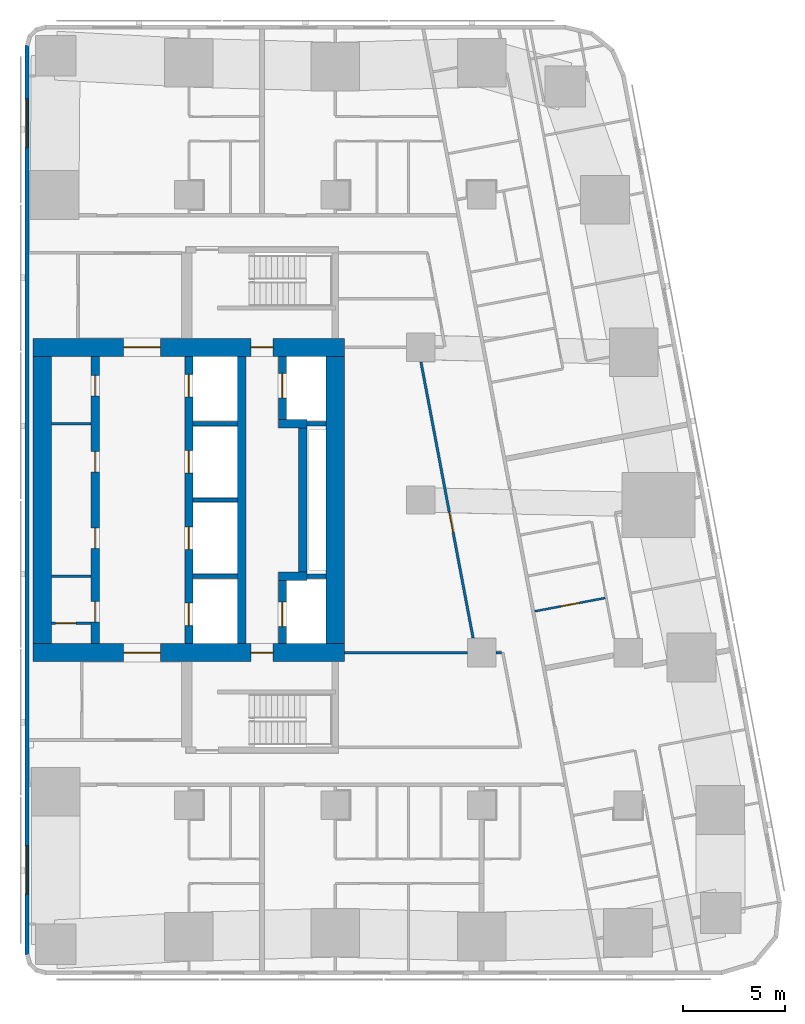
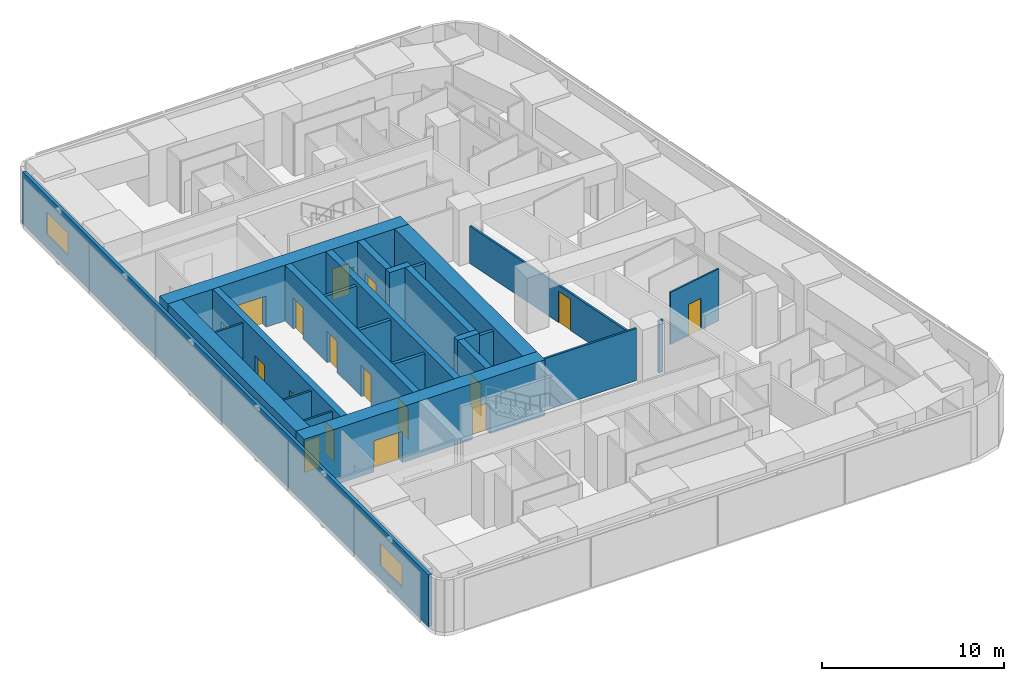
# One storey, part 4 of 10: 25 walls, 17 doors, 2 windows, 19 openings.
"""IFC4 building model written with IfcOpenShell, lengths in metres."""

from ifc_helpers import new_model, si_unit, direction, frame, frame_2d, origin, place, context, subcontext, project, spatial, rectangle, extrude, material, layer, layer_set, type_object, element, fill, save


model = new_model("IFC4")

# Units and contexts
model_context = context("Model", 3, precision=1e-05, world=origin(), true_north=direction((0.0, 1.0)))
body_context = subcontext(model_context, "Body", "Model", "MODEL_VIEW")
ifc_project = project(units=[si_unit("LENGTHUNIT", "METRE"), si_unit("AREAUNIT", "SQUARE_METRE"), si_unit("VOLUMEUNIT", "CUBIC_METRE"), si_unit("PLANEANGLEUNIT", "RADIAN"), si_unit("MASSUNIT", "GRAM", prefix="KILO")], contexts=[model_context])

# Site, building, storey
site_placement = place(None, origin())
site = spatial("IfcSite", under=ifc_project, at=site_placement, CompositionType="ELEMENT")
building_placement = place(site_placement, origin())
building = spatial("IfcBuilding", under=site, at=building_placement, Name="Sheger Commons Tower", CompositionType="ELEMENT")
storey_placement = place(building_placement, frame((0.0, 0.0, 227.449951171875)))
storey = spatial("IfcBuildingStorey", under=building, at=storey_placement, Name="L58", CompositionType="ELEMENT", Elevation=227.449951171875)

# Wall, openings, doors
ifc_material_1 = material(Name="Concrete C50/60", Category="concrete")
ifc_layer_1 = layer(ifc_material_1, 0.39990234375)
ifc_layer_set_1 = layer_set([ifc_layer_1], Name="CORE INNER WALL 400")
wall_type_1 = type_object("IfcWallType", Name="CORE INNER WALL 400", PredefinedType="SHEAR", material=ifc_layer_set_1)
wall_1_placement = place(storey_placement, frame((17.0, 15.449951171875, 0.0), z_axis=(0.0, 0.0, 1.0), x_axis=(0.0, 1.0, 0.0)))
wall_1 = element("IfcWall", 1, at=wall_1_placement, inside=storey, type_object=wall_type_1, Name="Core inner wall A L58", PredefinedType="SHEAR", context=body_context, shape_type="SweptSolid", body=[
    extrude(rectangle(XDim=14.10009765625, YDim=0.39990234375, at=frame_2d((7.050048828125, 0.0))), origin(), (0.0, 0.0, 1.0), 3.75),
])
opening_1_placement = place(wall_1_placement, frame((1.050048828125, 0.0, 0.0)))
opening_1 = element("IfcOpeningElement", 2, at=opening_1_placement, cuts=wall_1, Name="Opening D4", PredefinedType="OPENING", context=body_context, shape_type="SweptSolid", body=[
    extrude(rectangle(XDim=1.0, YDim=2.10009765625, at=frame_2d((0.5, 1.050048828125))), frame((0.0, 0.2099609375, 0.0), z_axis=(0.0, -1.0, 0.0), x_axis=(1.0, 0.0, 0.0)), (0.0, 0.0, 1.0), 0.419921875),
])
opening_2_placement = place(wall_1_placement, frame((4.675048828125, 0.0, 0.0)))
opening_2 = element("IfcOpeningElement", 3, at=opening_2_placement, cuts=wall_1, Name="Opening D4", PredefinedType="OPENING", context=body_context, shape_type="SweptSolid", body=[
    extrude(rectangle(XDim=1.0, YDim=2.10009765625, at=frame_2d((0.5, 1.050048828125))), frame((0.0, 0.2099609375, 0.0), z_axis=(0.0, -1.0, 0.0), x_axis=(1.0, 0.0, 0.0)), (0.0, 0.0, 1.0), 0.419921875),
])
opening_3_placement = place(wall_1_placement, frame((8.425048828125, 0.0, 0.0)))
opening_3 = element("IfcOpeningElement", 4, at=opening_3_placement, cuts=wall_1, Name="Opening D4", PredefinedType="OPENING", context=body_context, shape_type="SweptSolid", body=[
    extrude(rectangle(XDim=1.0, YDim=2.10009765625, at=frame_2d((0.5, 1.050048828125))), frame((0.0, 0.2099609375, 0.0), z_axis=(0.0, -1.0, 0.0), x_axis=(1.0, 0.0, 0.0)), (0.0, 0.0, 1.0), 0.419921875),
])
opening_4_placement = place(wall_1_placement, frame((12.175048828125, 0.0, 0.0)))
opening_4 = element("IfcOpeningElement", 5, at=opening_4_placement, cuts=wall_1, Name="Opening D4", PredefinedType="OPENING", context=body_context, shape_type="SweptSolid", body=[
    extrude(rectangle(XDim=1.0, YDim=2.10009765625, at=frame_2d((0.5, 1.050048828125))), frame((0.0, 0.2099609375, 0.0), z_axis=(0.0, -1.0, 0.0), x_axis=(1.0, 0.0, 0.0)), (0.0, 0.0, 1.0), 0.419921875),
])
ifc_material_2 = material(Name="Steel door set, fire rated", Category="steel")
door_type_1 = type_object("IfcDoorType", Name="SERVICE DOOR 1000x2100", OperationType="NOTDEFINED", PredefinedType="DOOR", material=ifc_material_2)
door_1_placement = place(opening_1_placement, origin())
door_1 = element("IfcDoor", 6, at=door_1_placement, inside=storey, type_object=door_type_1, Name="Estate store door", OperationType="SINGLE_SWING_LEFT", OverallHeight=2.10009765625, OverallWidth=1.0, PredefinedType="DOOR", context=body_context, shape_type="SweptSolid", body=[
    extrude(rectangle(XDim=1.0, YDim=2.10009765625, at=frame_2d((0.5, 1.050048828125))), frame((0.0, 0.02490234375, 0.0), z_axis=(0.0, -1.0, 0.0), x_axis=(1.0, 0.0, 0.0)), (0.0, 0.0, 1.0), 0.050048828125),
])
fill(opening_1, door_1)
door_2_placement = place(opening_2_placement, origin())
door_2 = element("IfcDoor", 7, at=door_2_placement, inside=storey, type_object=door_type_1, Name="Bulky waste store door", OperationType="SINGLE_SWING_LEFT", OverallHeight=2.10009765625, OverallWidth=1.0, PredefinedType="DOOR", context=body_context, shape_type="SweptSolid", body=[
    extrude(rectangle(XDim=1.0, YDim=2.10009765625, at=frame_2d((0.5, 1.050048828125))), frame((0.0, 0.02490234375, 0.0), z_axis=(0.0, -1.0, 0.0), x_axis=(1.0, 0.0, 0.0)), (0.0, 0.0, 1.0), 0.050048828125),
])
fill(opening_2, door_2)
door_3_placement = place(opening_3_placement, origin())
door_3 = element("IfcDoor", 8, at=door_3_placement, inside=storey, type_object=door_type_1, Name="Bulky waste store door", OperationType="SINGLE_SWING_RIGHT", OverallHeight=2.10009765625, OverallWidth=1.0, PredefinedType="DOOR", context=body_context, shape_type="SweptSolid", body=[
    extrude(rectangle(XDim=1.0, YDim=2.10009765625, at=frame_2d((0.5, 1.050048828125))), frame((0.0, 0.02490234375, 0.0), z_axis=(0.0, -1.0, 0.0), x_axis=(1.0, 0.0, 0.0)), (0.0, 0.0, 1.0), 0.050048828125),
])
fill(opening_3, door_3)
door_4_placement = place(opening_4_placement, origin())
door_4 = element("IfcDoor", 9, at=door_4_placement, inside=storey, type_object=door_type_1, Name="Staff WC door", OperationType="SINGLE_SWING_RIGHT", OverallHeight=2.10009765625, OverallWidth=1.0, PredefinedType="DOOR", context=body_context, shape_type="SweptSolid", body=[
    extrude(rectangle(XDim=1.0, YDim=2.10009765625, at=frame_2d((0.5, 1.050048828125))), frame((0.0, 0.02490234375, 0.0), z_axis=(0.0, -1.0, 0.0), x_axis=(1.0, 0.0, 0.0)), (0.0, 0.0, 1.0), 0.050048828125),
])
fill(opening_4, door_4)

wall_2_placement = place(storey_placement, frame((21.60009765625, 15.449951171875, 0.0), z_axis=(0.0, 0.0, 1.0), x_axis=(0.0, 1.0, 0.0)))
wall_2 = element("IfcWall", 10, at=wall_2_placement, inside=storey, type_object=wall_type_1, Name="Core inner wall L L58", PredefinedType="SHEAR", context=body_context, shape_type="SweptSolid", body=[
    extrude(rectangle(XDim=14.10009765625, YDim=0.39990234375, at=frame_2d((7.050048828125, 0.0))), origin(), (0.0, 0.0, 1.0), 3.75),
])
opening_5_placement = place(wall_2_placement, frame((0.875, 0.0, 0.0)))
opening_5 = element("IfcOpeningElement", 11, at=opening_5_placement, cuts=wall_2, Name="Opening LD", PredefinedType="OPENING", context=body_context, shape_type="SweptSolid", body=[
    extrude(rectangle(XDim=1.10009765625, YDim=2.10009765625, at=frame_2d((0.550048828125, 1.050048828125))), frame((0.0, 0.2099609375, 0.0), z_axis=(0.0, -1.0, 0.0), x_axis=(1.0, 0.0, 0.0)), (0.0, 0.0, 1.0), 0.419921875),
])
opening_6_placement = place(wall_2_placement, frame((4.625, 0.0, 0.0)))
opening_6 = element("IfcOpeningElement", 12, at=opening_6_placement, cuts=wall_2, Name="Opening LD", PredefinedType="OPENING", context=body_context, shape_type="SweptSolid", body=[
    extrude(rectangle(XDim=1.10009765625, YDim=2.10009765625, at=frame_2d((0.550048828125, 1.050048828125))), frame((0.0, 0.2099609375, 0.0), z_axis=(0.0, -1.0, 0.0), x_axis=(1.0, 0.0, 0.0)), (0.0, 0.0, 1.0), 0.419921875),
])
opening_7_placement = place(wall_2_placement, frame((8.375, 0.0, 0.0)))
opening_7 = element("IfcOpeningElement", 13, at=opening_7_placement, cuts=wall_2, Name="Opening LD", PredefinedType="OPENING", context=body_context, shape_type="SweptSolid", body=[
    extrude(rectangle(XDim=1.10009765625, YDim=2.10009765625, at=frame_2d((0.550048828125, 1.050048828125))), frame((0.0, 0.2099609375, 0.0), z_axis=(0.0, -1.0, 0.0), x_axis=(1.0, 0.0, 0.0)), (0.0, 0.0, 1.0), 0.419921875),
])
opening_8_placement = place(wall_2_placement, frame((12.125, 0.0, 0.0)))
opening_8 = element("IfcOpeningElement", 14, at=opening_8_placement, cuts=wall_2, Name="Opening LD", PredefinedType="OPENING", context=body_context, shape_type="SweptSolid", body=[
    extrude(rectangle(XDim=1.10009765625, YDim=2.10009765625, at=frame_2d((0.550048828125, 1.050048828125))), frame((0.0, 0.2099609375, 0.0), z_axis=(0.0, -1.0, 0.0), x_axis=(1.0, 0.0, 0.0)), (0.0, 0.0, 1.0), 0.419921875),
])
ifc_material_3 = material(Name="Steel door set, fire rated", Category="steel")
door_type_2 = type_object("IfcDoorType", Name="LIFT LANDING DOOR 1100x2100", OperationType="DOUBLE_DOOR_SLIDING", PredefinedType="DOOR", material=ifc_material_3)
door_5_placement = place(opening_5_placement, origin())
door_5 = element("IfcDoor", 15, at=door_5_placement, inside=storey, type_object=door_type_2, Name="Lift LB1 landing door", OperationType="DOUBLE_DOOR_SLIDING", OverallHeight=2.10009765625, OverallWidth=1.10009765625, PredefinedType="DOOR", context=body_context, shape_type="SweptSolid", body=[
    extrude(rectangle(XDim=1.10009765625, YDim=2.10009765625, at=frame_2d((0.550048828125, 1.050048828125))), frame((0.0, 0.02490234375, 0.0), z_axis=(0.0, -1.0, 0.0), x_axis=(1.0, 0.0, 0.0)), (0.0, 0.0, 1.0), 0.050048828125),
])
fill(opening_5, door_5)
door_6_placement = place(opening_6_placement, origin())
door_6 = element("IfcDoor", 16, at=door_6_placement, inside=storey, type_object=door_type_2, Name="Lift LB2 landing door", OperationType="DOUBLE_DOOR_SLIDING", OverallHeight=2.10009765625, OverallWidth=1.10009765625, PredefinedType="DOOR", context=body_context, shape_type="SweptSolid", body=[
    extrude(rectangle(XDim=1.10009765625, YDim=2.10009765625, at=frame_2d((0.550048828125, 1.050048828125))), frame((0.0, 0.02490234375, 0.0), z_axis=(0.0, -1.0, 0.0), x_axis=(1.0, 0.0, 0.0)), (0.0, 0.0, 1.0), 0.050048828125),
])
fill(opening_6, door_6)
door_7_placement = place(opening_7_placement, origin())
door_7 = element("IfcDoor", 17, at=door_7_placement, inside=storey, type_object=door_type_2, Name="Lift LB3 landing door", OperationType="DOUBLE_DOOR_SLIDING", OverallHeight=2.10009765625, OverallWidth=1.10009765625, PredefinedType="DOOR", context=body_context, shape_type="SweptSolid", body=[
    extrude(rectangle(XDim=1.10009765625, YDim=2.10009765625, at=frame_2d((0.550048828125, 1.050048828125))), frame((0.0, 0.02490234375, 0.0), z_axis=(0.0, -1.0, 0.0), x_axis=(1.0, 0.0, 0.0)), (0.0, 0.0, 1.0), 0.050048828125),
])
fill(opening_7, door_7)
door_8_placement = place(opening_8_placement, origin())
door_8 = element("IfcDoor", 18, at=door_8_placement, inside=storey, type_object=door_type_2, Name="Lift LB4 landing door", OperationType="DOUBLE_DOOR_SLIDING", OverallHeight=2.10009765625, OverallWidth=1.10009765625, PredefinedType="DOOR", context=body_context, shape_type="SweptSolid", body=[
    extrude(rectangle(XDim=1.10009765625, YDim=2.10009765625, at=frame_2d((0.550048828125, 1.050048828125))), frame((0.0, 0.02490234375, 0.0), z_axis=(0.0, -1.0, 0.0), x_axis=(1.0, 0.0, 0.0)), (0.0, 0.0, 1.0), 0.050048828125),
])
fill(opening_8, door_8)

# Wall
wall_3_placement = place(storey_placement, frame((24.199951171875, 15.449951171875, 0.0), z_axis=(0.0, 0.0, 1.0), x_axis=(0.0, 1.0, 0.0)))
element("IfcWall", 19, at=wall_3_placement, inside=storey, type_object=wall_type_1, Name="Core inner wall B L58", PredefinedType="SHEAR", context=body_context, shape_type="SweptSolid", body=[
    extrude(rectangle(XDim=14.10009765625, YDim=0.39990234375, at=frame_2d((7.050048828125, 0.0))), origin(), (0.0, 0.0, 1.0), 3.75),
])

# Wall, opening, door
wall_4_placement = place(storey_placement, frame((26.199951171875, 15.449951171875, 0.0), z_axis=(0.0, 0.0, 1.0), x_axis=(0.0, 1.0, 0.0)))
wall_4 = element("IfcWall", 20, at=wall_4_placement, inside=storey, type_object=wall_type_1, Name="Core inner wall F L58", PredefinedType="SHEAR", context=body_context, shape_type="SweptSolid", body=[
    extrude(rectangle(XDim=3.10009765625, YDim=0.39990234375, at=frame_2d((1.550048828125, 0.0))), origin(), (0.0, 0.0, 1.0), 3.75),
])
opening_9_placement = place(wall_4_placement, frame((0.824951171875, 0.0, 0.0)))
opening_9 = element("IfcOpeningElement", 21, at=opening_9_placement, cuts=wall_4, Name="Opening LD2", PredefinedType="OPENING", context=body_context, shape_type="SweptSolid", body=[
    extrude(rectangle(XDim=1.199951171875, YDim=2.10009765625, at=frame_2d((0.60009765625, 1.050048828125))), frame((0.0, 0.2099609375, 0.0), z_axis=(0.0, -1.0, 0.0), x_axis=(1.0, 0.0, 0.0)), (0.0, 0.0, 1.0), 0.419921875),
])
ifc_material_4 = material(Name="Steel door set, fire rated", Category="steel")
door_type_3 = type_object("IfcDoorType", Name="FIREFIGHTING LIFT LANDING DOOR 1200x2100", OperationType="DOUBLE_DOOR_SLIDING", PredefinedType="DOOR", material=ifc_material_4)
door_9_placement = place(opening_9_placement, origin())
door_9 = element("IfcDoor", 22, at=door_9_placement, inside=storey, type_object=door_type_3, Name="Lift FL1 landing door", OperationType="DOUBLE_DOOR_SLIDING", OverallHeight=2.10009765625, OverallWidth=1.199951171875, PredefinedType="DOOR", context=body_context, shape_type="SweptSolid", body=[
    extrude(rectangle(XDim=1.199951171875, YDim=2.10009765625, at=frame_2d((0.60009765625, 1.050048828125))), frame((0.0, 0.02490234375, 0.0), z_axis=(0.0, -1.0, 0.0), x_axis=(1.0, 0.0, 0.0)), (0.0, 0.0, 1.0), 0.050048828125),
])
fill(opening_9, door_9)

# Walls
wall_5_placement = place(storey_placement, frame((26.0, 18.75, 0.0), z_axis=(0.0, 0.0, 1.0), x_axis=(1.0, 0.0, 0.0)))
element("IfcWall", 23, at=wall_5_placement, inside=storey, type_object=wall_type_1, Name="Core inner wall F south return L58", PredefinedType="SHEAR", context=body_context, shape_type="SweptSolid", body=[
    extrude(rectangle(XDim=1.39990234375, YDim=0.39990234375, at=frame_2d((0.699951171875, 0.0))), origin(), (0.0, 0.0, 1.0), 3.75),
])
wall_6_placement = place(storey_placement, frame((27.199951171875, 18.949951171875, 0.0), z_axis=(0.0, 0.0, 1.0), x_axis=(0.0, 1.0, 0.0)))
element("IfcWall", 24, at=wall_6_placement, inside=storey, type_object=wall_type_1, Name="Core inner wall F middle L58", PredefinedType="SHEAR", context=body_context, shape_type="SweptSolid", body=[
    extrude(rectangle(XDim=7.10009765625, YDim=0.39990234375, at=frame_2d((3.550048828125, 0.0))), origin(), (0.0, 0.0, 1.0), 3.75),
])
wall_7_placement = place(storey_placement, frame((26.0, 26.25, 0.0), z_axis=(0.0, 0.0, 1.0), x_axis=(1.0, 0.0, 0.0)))
element("IfcWall", 25, at=wall_7_placement, inside=storey, type_object=wall_type_1, Name="Core inner wall F north return L58", PredefinedType="SHEAR", context=body_context, shape_type="SweptSolid", body=[
    extrude(rectangle(XDim=1.39990234375, YDim=0.39990234375, at=frame_2d((0.699951171875, 0.0))), origin(), (0.0, 0.0, 1.0), 3.75),
])

# Wall, opening, door
wall_8_placement = place(storey_placement, frame((26.199951171875, 26.449951171875, 0.0), z_axis=(0.0, 0.0, 1.0), x_axis=(0.0, 1.0, 0.0)))
wall_8 = element("IfcWall", 26, at=wall_8_placement, inside=storey, type_object=wall_type_1, Name="Core inner wall F north L58", PredefinedType="SHEAR", context=body_context, shape_type="SweptSolid", body=[
    extrude(rectangle(XDim=3.10009765625, YDim=0.39990234375, at=frame_2d((1.550048828125, 0.0))), origin(), (0.0, 0.0, 1.0), 3.75),
])
opening_10_placement = place(wall_8_placement, frame((1.074951171875, 0.0, 0.0)))
opening_10 = element("IfcOpeningElement", 27, at=opening_10_placement, cuts=wall_8, Name="Opening LD2", PredefinedType="OPENING", context=body_context, shape_type="SweptSolid", body=[
    extrude(rectangle(XDim=1.199951171875, YDim=2.10009765625, at=frame_2d((0.60009765625, 1.050048828125))), frame((0.0, 0.2099609375, 0.0), z_axis=(0.0, -1.0, 0.0), x_axis=(1.0, 0.0, 0.0)), (0.0, 0.0, 1.0), 0.419921875),
])
door_10_placement = place(opening_10_placement, origin())
door_10 = element("IfcDoor", 28, at=door_10_placement, inside=storey, type_object=door_type_3, Name="Lift FL2 landing door", OperationType="DOUBLE_DOOR_SLIDING", OverallHeight=2.10009765625, OverallWidth=1.199951171875, PredefinedType="DOOR", context=body_context, shape_type="SweptSolid", body=[
    extrude(rectangle(XDim=1.199951171875, YDim=2.10009765625, at=frame_2d((0.60009765625, 1.050048828125))), frame((0.0, 0.02490234375, 0.0), z_axis=(0.0, -1.0, 0.0), x_axis=(1.0, 0.0, 0.0)), (0.0, 0.0, 1.0), 0.050048828125),
])
fill(opening_10, door_10)

# Wall, openings, doors
ifc_material_5 = material(Name="Concrete C50/60", Category="concrete")
ifc_layer_2 = layer(ifc_material_5, 0.89990234375)
ifc_layer_set_2 = layer_set([ifc_layer_2], Name="CORE WALL 900")
wall_type_2 = type_object("IfcWallType", Name="CORE WALL 900", PredefinedType="SHEAR", material=ifc_layer_set_2)
wall_9_placement = place(storey_placement, frame((13.949951171875, 15.0, 0.0), z_axis=(0.0, 0.0, 1.0), x_axis=(1.0, 0.0, 0.0)))
wall_9 = element("IfcWall", 29, at=wall_9_placement, inside=storey, type_object=wall_type_2, Name="Core wall south L58", PredefinedType="SHEAR", context=body_context, shape_type="SweptSolid", body=[
    extrude(rectangle(XDim=15.300048828125, YDim=0.89990234375, at=frame_2d((7.64990234375, 0.0))), origin(), (0.0, 0.0, 1.0), 3.75),
])
opening_11_placement = place(wall_9_placement, frame((4.449951171875, 0.0, 0.0)))
opening_11 = element("IfcOpeningElement", 30, at=opening_11_placement, cuts=wall_9, Name="Opening D6", PredefinedType="OPENING", context=body_context, shape_type="SweptSolid", body=[
    extrude(rectangle(XDim=1.800048828125, YDim=2.10009765625, at=frame_2d((0.89990234375, 1.050048828125))), frame((0.0, 0.4599609375, 0.0), z_axis=(0.0, -1.0, 0.0), x_axis=(1.0, 0.0, 0.0)), (0.0, 0.0, 1.0), 0.919921875),
])
opening_12_placement = place(wall_9_placement, frame((10.699951171875, 0.0, 0.0)))
opening_12 = element("IfcOpeningElement", 31, at=opening_12_placement, cuts=wall_9, Name="Opening D5", PredefinedType="OPENING", context=body_context, shape_type="SweptSolid", body=[
    extrude(rectangle(XDim=1.10009765625, YDim=2.10009765625, at=frame_2d((0.550048828125, 1.050048828125))), frame((0.0, 0.4599609375, 0.0), z_axis=(0.0, -1.0, 0.0), x_axis=(1.0, 0.0, 0.0)), (0.0, 0.0, 1.0), 0.919921875),
])
ifc_material_6 = material(Name="Steel door set, fire rated", Category="steel")
door_type_4 = type_object("IfcDoorType", Name="LOBBY DOUBLE DOOR 1800x2100", OperationType="DOUBLE_DOOR_SINGLE_SWING", PredefinedType="DOOR", material=ifc_material_6)
door_11_placement = place(opening_11_placement, origin())
door_11 = element("IfcDoor", 32, at=door_11_placement, inside=storey, type_object=door_type_4, Name="Lift lobby door", OperationType="DOUBLE_DOOR_SINGLE_SWING", OverallHeight=2.10009765625, OverallWidth=1.800048828125, PredefinedType="DOOR", context=body_context, shape_type="SweptSolid", body=[
    extrude(rectangle(XDim=1.800048828125, YDim=2.10009765625, at=frame_2d((0.89990234375, 1.050048828125))), frame((0.0, 0.02490234375, 0.0), z_axis=(0.0, -1.0, 0.0), x_axis=(1.0, 0.0, 0.0)), (0.0, 0.0, 1.0), 0.050048828125),
])
fill(opening_11, door_11)
ifc_material_7 = material(Name="Steel door set, fire rated", Category="steel")
door_type_5 = type_object("IfcDoorType", Name="STAIR DOOR 1100x2100", OperationType="NOTDEFINED", PredefinedType="DOOR", material=ifc_material_7)
door_12_placement = place(opening_12_placement, origin())
door_12 = element("IfcDoor", 33, at=door_12_placement, inside=storey, type_object=door_type_5, Name="Fire-fighting lobby door", OperationType="SINGLE_SWING_RIGHT", OverallHeight=2.10009765625, OverallWidth=1.10009765625, PredefinedType="DOOR", context=body_context, shape_type="SweptSolid", body=[
    extrude(rectangle(XDim=1.10009765625, YDim=2.10009765625, at=frame_2d((0.550048828125, 1.050048828125))), frame((0.0, 0.02490234375, 0.0), z_axis=(0.0, -1.0, 0.0), x_axis=(1.0, 0.0, 0.0)), (0.0, 0.0, 1.0), 0.050048828125),
])
fill(opening_12, door_12)

wall_10_placement = place(storey_placement, frame((13.949951171875, 30.0, 0.0), z_axis=(0.0, 0.0, 1.0), x_axis=(1.0, 0.0, 0.0)))
wall_10 = element("IfcWall", 34, at=wall_10_placement, inside=storey, type_object=wall_type_2, Name="Core wall north L58", PredefinedType="SHEAR", context=body_context, shape_type="SweptSolid", body=[
    extrude(rectangle(XDim=15.300048828125, YDim=0.89990234375, at=frame_2d((7.64990234375, 0.0))), origin(), (0.0, 0.0, 1.0), 3.75),
])
opening_13_placement = place(wall_10_placement, frame((4.449951171875, 0.0, 0.0)))
opening_13 = element("IfcOpeningElement", 35, at=opening_13_placement, cuts=wall_10, Name="Opening D6", PredefinedType="OPENING", context=body_context, shape_type="SweptSolid", body=[
    extrude(rectangle(XDim=1.800048828125, YDim=2.10009765625, at=frame_2d((0.89990234375, 1.050048828125))), frame((0.0, 0.4599609375, 0.0), z_axis=(0.0, -1.0, 0.0), x_axis=(1.0, 0.0, 0.0)), (0.0, 0.0, 1.0), 0.919921875),
])
opening_14_placement = place(wall_10_placement, frame((10.699951171875, 0.0, 0.0)))
opening_14 = element("IfcOpeningElement", 36, at=opening_14_placement, cuts=wall_10, Name="Opening D5", PredefinedType="OPENING", context=body_context, shape_type="SweptSolid", body=[
    extrude(rectangle(XDim=1.10009765625, YDim=2.10009765625, at=frame_2d((0.550048828125, 1.050048828125))), frame((0.0, 0.4599609375, 0.0), z_axis=(0.0, -1.0, 0.0), x_axis=(1.0, 0.0, 0.0)), (0.0, 0.0, 1.0), 0.919921875),
])
door_13_placement = place(opening_13_placement, origin())
door_13 = element("IfcDoor", 37, at=door_13_placement, inside=storey, type_object=door_type_4, Name="Lift lobby door", OperationType="DOUBLE_DOOR_SINGLE_SWING", OverallHeight=2.10009765625, OverallWidth=1.800048828125, PredefinedType="DOOR", context=body_context, shape_type="SweptSolid", body=[
    extrude(rectangle(XDim=1.800048828125, YDim=2.10009765625, at=frame_2d((0.89990234375, 1.050048828125))), frame((0.0, 0.02490234375, 0.0), z_axis=(0.0, -1.0, 0.0), x_axis=(1.0, 0.0, 0.0)), (0.0, 0.0, 1.0), 0.050048828125),
])
fill(opening_13, door_13)
door_14_placement = place(opening_14_placement, origin())
door_14 = element("IfcDoor", 38, at=door_14_placement, inside=storey, type_object=door_type_5, Name="Fire-fighting lobby door", OperationType="SINGLE_SWING_RIGHT", OverallHeight=2.10009765625, OverallWidth=1.10009765625, PredefinedType="DOOR", context=body_context, shape_type="SweptSolid", body=[
    extrude(rectangle(XDim=1.10009765625, YDim=2.10009765625, at=frame_2d((0.550048828125, 1.050048828125))), frame((0.0, 0.02490234375, 0.0), z_axis=(0.0, -1.0, 0.0), x_axis=(1.0, 0.0, 0.0)), (0.0, 0.0, 1.0), 0.050048828125),
])
fill(opening_14, door_14)

# Walls
for number, where, z_axis, x_axis, name in (
    (39, (14.39990234375, 15.449951171875, 0.0), (0.0, 0.0, 1.0), (0.0, 1.0, 0.0), "Core wall west L58"),
    (40, (28.800048828125, 15.449951171875, 0.0), (0.0, 0.0, 1.0), (0.0, 1.0, 0.0), "Core wall east L58"),
):
    element("IfcWall", number, at=place(storey_placement, frame(where, z_axis=z_axis, x_axis=x_axis)), inside=storey, type_object=wall_type_2, Name=name, PredefinedType="SHEAR", context=body_context, shape_type="SweptSolid", body=[
        extrude(rectangle(XDim=14.10009765625, YDim=0.89990234375, at=frame_2d((7.050048828125, 0.0))), origin(), (0.0, 0.0, 1.0), 3.75),
    ])

# Wall, openings, windows
ifc_material_8 = material(Name="Rendered concrete block masonry, dark grey", Category="masonry")
ifc_layer_3 = layer(ifc_material_8, 0.199951171875)
ifc_layer_set_3 = layer_set([ifc_layer_3], Name="FACADE WALL 200")
wall_type_3 = type_object("IfcWallType", Name="FACADE WALL 200", PredefinedType="SOLIDWALL", material=ifc_layer_set_3)
wall_11_placement = place(storey_placement, frame((13.64990234375, 44.8369140625, 0.0), z_axis=(0.0, 0.0, 1.0), x_axis=(0.0, -1.0, 0.0)))
wall_11 = element("IfcWall", 41, at=wall_11_placement, inside=storey, type_object=wall_type_3, Name="Facade wall L58", PredefinedType="SOLIDWALL", context=body_context, shape_type="SweptSolid", body=[
    extrude(rectangle(XDim=44.673828125, YDim=0.199951171875, at=frame_2d((22.3369140625, 0.0))), origin(), (0.0, 0.0, 1.0), 3.5),
])
opening_15_placement = place(wall_11_placement, frame((2.614013671875, 0.0, 0.89990234375)))
opening_15 = element("IfcOpeningElement", 42, at=opening_15_placement, cuts=wall_11, Name="Opening W1", PredefinedType="OPENING", context=body_context, shape_type="SweptSolid", body=[
    extrude(rectangle(XDim=2.39990234375, YDim=1.5, at=frame_2d((1.199951171875, 0.75))), frame((0.0, 0.10986328125, 0.0), z_axis=(0.0, -1.0, 0.0), x_axis=(1.0, 0.0, 0.0)), (0.0, 0.0, 1.0), 0.219970703125),
])
opening_16_placement = place(wall_11_placement, frame((39.3330078125, 0.0, 0.89990234375)))
opening_16 = element("IfcOpeningElement", 43, at=opening_16_placement, cuts=wall_11, Name="Opening W1", PredefinedType="OPENING", context=body_context, shape_type="SweptSolid", body=[
    extrude(rectangle(XDim=2.39990234375, YDim=1.5, at=frame_2d((1.199951171875, 0.75))), frame((0.0, 0.10986328125, 0.0), z_axis=(0.0, -1.0, 0.0), x_axis=(1.0, 0.0, 0.0)), (0.0, 0.0, 1.0), 0.219970703125),
])
ifc_material_9 = material(Name="Black aluminium frame, dark tinted double glazing", Category="aluminium")
window_type = type_object("IfcWindowType", Name="WINDOW W1 2400x1500", PartitioningType="SINGLE_PANEL", PredefinedType="WINDOW", material=ifc_material_9)
window_1_placement = place(opening_15_placement, origin())
window_1 = element("IfcWindow", 44, at=window_1_placement, inside=storey, type_object=window_type, Name="Window W1 2400X1500", OverallHeight=1.5, OverallWidth=2.39990234375, PartitioningType="SINGLE_PANEL", PredefinedType="WINDOW", context=body_context, shape_type="SweptSolid", body=[
    extrude(rectangle(XDim=2.39990234375, YDim=1.5, at=frame_2d((1.199951171875, 0.75))), frame((0.0, 0.030029296875, 0.0), z_axis=(0.0, -1.0, 0.0), x_axis=(1.0, 0.0, 0.0)), (0.0, 0.0, 1.0), 0.06005859375),
])
fill(opening_15, window_1)
window_2_placement = place(opening_16_placement, origin())
window_2 = element("IfcWindow", 45, at=window_2_placement, inside=storey, type_object=window_type, Name="Window W1 2400X1500", OverallHeight=1.5, OverallWidth=2.39990234375, PartitioningType="SINGLE_PANEL", PredefinedType="WINDOW", context=body_context, shape_type="SweptSolid", body=[
    extrude(rectangle(XDim=2.39990234375, YDim=1.5, at=frame_2d((1.199951171875, 0.75))), frame((0.0, 0.030029296875, 0.0), z_axis=(0.0, -1.0, 0.0), x_axis=(1.0, 0.0, 0.0)), (0.0, 0.0, 1.0), 0.06005859375),
])
fill(opening_16, window_2)

# Wall, opening, door
ifc_material_10 = material(Name="Gypsum board on steel studs", Category="steel")
ifc_layer_4 = layer(ifc_material_10, 0.10009765625)
ifc_layer_set_4 = layer_set([ifc_layer_4], Name="PARTITION 100")
wall_type_4 = type_object("IfcWallType", Name="PARTITION 100", PredefinedType="PARTITIONING", material=ifc_layer_set_4)
wall_12_placement = place(storey_placement, frame((42.072998046875, 17.681884765625, 0.0), z_axis=(0.0, 0.0, 1.0), x_axis=(-0.98265117712, -0.185463376723, 0.0)))
wall_12 = element("IfcWall", 46, at=wall_12_placement, inside=storey, type_object=wall_type_4, Name="Partition L58", PredefinedType="PARTITIONING", context=body_context, shape_type="SweptSolid", body=[
    extrude(rectangle(XDim=3.525390625, YDim=0.10009765625, at=frame_2d((1.7626953125, 0.0))), origin(), (0.0, 0.0, 1.0), 3.5),
])
opening_17_placement = place(wall_12_placement, frame((1.324951171875, 0.0, 0.0)))
opening_17 = element("IfcOpeningElement", 47, at=opening_17_placement, cuts=wall_12, Name="Opening D2", PredefinedType="OPENING", context=body_context, shape_type="SweptSolid", body=[
    extrude(rectangle(XDim=0.89990234375, YDim=2.10009765625, at=frame_2d((0.449951171875, 1.050048828125))), frame((0.0, 0.06005859375, 0.0), z_axis=(0.0, -1.0, 0.0), x_axis=(1.0, 0.0, 0.0)), (0.0, 0.0, 1.0), 0.1201171875),
])
ifc_material_11 = material(Name="Timber door set", Category="wood")
door_type_6 = type_object("IfcDoorType", Name="INTERNAL DOOR 900x2100", OperationType="NOTDEFINED", PredefinedType="DOOR", material=ifc_material_11)
door_15_placement = place(opening_17_placement, origin())
door_15 = element("IfcDoor", 48, at=door_15_placement, inside=storey, type_object=door_type_6, Name="Store door", OperationType="SINGLE_SWING_LEFT", OverallHeight=2.10009765625, OverallWidth=0.89990234375, PredefinedType="DOOR", context=body_context, shape_type="SweptSolid", body=[
    extrude(rectangle(XDim=0.89990234375, YDim=2.10009765625, at=frame_2d((0.449951171875, 1.050048828125))), frame((0.0, 0.02490234375, 0.0), z_axis=(0.0, -1.0, 0.0), x_axis=(1.0, 0.0, 0.0)), (0.0, 0.0, 1.0), 0.050048828125),
])
fill(opening_17, door_15)

ifc_material_12 = material(Name="Gypsum board on steel studs, two layers each side, fire rated", Category="steel")
ifc_layer_5 = layer(ifc_material_12, 0.125)
ifc_layer_set_5 = layer_set([ifc_layer_5], Name="SERVICE WALL 125")
wall_type_5 = type_object("IfcWallType", Name="SERVICE WALL 125", PredefinedType="PARTITIONING", material=ifc_layer_set_5)
wall_13_placement = place(storey_placement, frame((35.575927734375, 15.712890625, 0.0), z_axis=(0.0, 0.0, 1.0), x_axis=(-0.185602982696, 0.982624817931, 0.0)))
wall_13 = element("IfcWall", 49, at=wall_13_placement, inside=storey, type_object=wall_type_5, Name="Service room wall L58", PredefinedType="PARTITIONING", context=body_context, shape_type="SweptSolid", body=[
    extrude(rectangle(XDim=13.814208984375, YDim=0.125, at=frame_2d((6.9072265625, 0.0))), origin(), (0.0, 0.0, 1.0), 2.5),
])
opening_18_placement = place(wall_13_placement, frame((5.300048828125, 0.0, 0.0)))
opening_18 = element("IfcOpeningElement", 50, at=opening_18_placement, cuts=wall_13, Name="Opening D4", PredefinedType="OPENING", context=body_context, shape_type="SweptSolid", body=[
    extrude(rectangle(XDim=1.0, YDim=2.10009765625, at=frame_2d((0.5, 1.050048828125))), frame((0.0, 0.072509765625, 0.0), z_axis=(0.0, -1.0, 0.0), x_axis=(1.0, 0.0, 0.0)), (0.0, 0.0, 1.0), 0.14501953125),
])
door_16_placement = place(opening_18_placement, origin())
door_16 = element("IfcDoor", 51, at=door_16_placement, inside=storey, type_object=door_type_1, Name="Residents' gym door", OperationType="SINGLE_SWING_LEFT", OverallHeight=2.10009765625, OverallWidth=1.0, PredefinedType="DOOR", context=body_context, shape_type="SweptSolid", body=[
    extrude(rectangle(XDim=1.0, YDim=2.10009765625, at=frame_2d((0.5, 1.050048828125))), frame((0.0, 0.02490234375, 0.0), z_axis=(0.0, -1.0, 0.0), x_axis=(1.0, 0.0, 0.0)), (0.0, 0.0, 1.0), 0.050048828125),
])
fill(opening_18, door_16)

# Walls
wall_14_placement = place(storey_placement, frame((29.25, 15.0, 0.0), z_axis=(0.0, 0.0, 1.0), x_axis=(1.0, 0.0, 0.0)))
element("IfcWall", 52, at=wall_14_placement, inside=storey, type_object=wall_type_5, Name="Service room wall L58", PredefinedType="PARTITIONING", context=body_context, shape_type="SweptSolid", body=[
    extrude(rectangle(XDim=6.049072265625, YDim=0.125, at=frame_2d((3.0244140625, 0.0))), origin(), (0.0, 0.0, 1.0), 3.5),
])
wall_15_placement = place(storey_placement, frame((36.700927734375, 15.0, 0.0), z_axis=(0.0, 0.0, 1.0), x_axis=(1.0, 0.0, 0.0)))
element("IfcWall", 53, at=wall_15_placement, inside=storey, type_object=wall_type_5, Name="Service room wall L58", PredefinedType="PARTITIONING", context=body_context, shape_type="SweptSolid", body=[
    extrude(rectangle(XDim=0.27197265625, YDim=0.125, at=frame_2d((0.135986328125, 0.0))), origin(), (0.0, 0.0, 1.0), 3.5),
])

# Wall, opening, door
wall_16_placement = place(storey_placement, frame((14.85009765625, 16.449951171875, 0.0), z_axis=(0.0, 0.0, 1.0), x_axis=(1.0, 0.0, 0.0)))
wall_16 = element("IfcWall", 54, at=wall_16_placement, inside=storey, type_object=wall_type_5, Name="Service room wall L58", PredefinedType="PARTITIONING", context=body_context, shape_type="SweptSolid", body=[
    extrude(rectangle(XDim=1.949951171875, YDim=0.125, at=frame_2d((0.97509765625, 0.0))), origin(), (0.0, 0.0, 1.0), 3.5),
])
opening_19_placement = place(wall_16_placement, frame((0.199951171875, 0.0, 0.0)))
opening_19 = element("IfcOpeningElement", 55, at=opening_19_placement, cuts=wall_16, Name="Opening D4", PredefinedType="OPENING", context=body_context, shape_type="SweptSolid", body=[
    extrude(rectangle(XDim=1.0, YDim=2.10009765625, at=frame_2d((0.5, 1.050048828125))), frame((0.0, 0.072509765625, 0.0), z_axis=(0.0, -1.0, 0.0), x_axis=(1.0, 0.0, 0.0)), (0.0, 0.0, 1.0), 0.14501953125),
])
door_17_placement = place(opening_19_placement, origin())
door_17 = element("IfcDoor", 56, at=door_17_placement, inside=storey, type_object=door_type_1, Name="Electrical riser door", OperationType="SINGLE_SWING_RIGHT", OverallHeight=2.10009765625, OverallWidth=1.0, PredefinedType="DOOR", context=body_context, shape_type="SweptSolid", body=[
    extrude(rectangle(XDim=1.0, YDim=2.10009765625, at=frame_2d((0.5, 1.050048828125))), frame((0.0, 0.02490234375, 0.0), z_axis=(0.0, -1.0, 0.0), x_axis=(1.0, 0.0, 0.0)), (0.0, 0.0, 1.0), 0.050048828125),
])
fill(opening_19, door_17)

# Walls
for number, where, z_axis, x_axis, name in (
    (57, (14.85009765625, 18.75, 0.0), (0.0, 0.0, 1.0), (1.0, 0.0, 0.0), "Service room wall L58"),
    (58, (14.85009765625, 26.25, 0.0), (0.0, 0.0, 1.0), (1.0, 0.0, 0.0), "Service room wall L58"),
):
    element("IfcWall", number, at=place(storey_placement, frame(where, z_axis=z_axis, x_axis=x_axis)), inside=storey, type_object=wall_type_5, Name=name, PredefinedType="PARTITIONING", context=body_context, shape_type="SweptSolid", body=[
        extrude(rectangle(XDim=1.949951171875, YDim=0.125, at=frame_2d((0.97509765625, 0.0))), origin(), (0.0, 0.0, 1.0), 3.5),
    ])
ifc_material_13 = material(Name="Hollow concrete block masonry", Category="masonry")
ifc_layer_6 = layer(ifc_material_13, 0.199951171875)
ifc_layer_set_6 = layer_set([ifc_layer_6], Name="SHAFT WALL 200")
wall_type_6 = type_object("IfcWallType", Name="SHAFT WALL 200", PredefinedType="SOLIDWALL", material=ifc_layer_set_6)
for number, where, z_axis, x_axis, name in (
    (59, (21.800048828125, 18.75, 0.0), (0.0, 0.0, 1.0), (1.0, 0.0, 0.0), "Lift shaft wall L58"),
    (60, (21.800048828125, 22.5, 0.0), (0.0, 0.0, 1.0), (1.0, 0.0, 0.0), "Lift shaft wall L58"),
    (61, (21.800048828125, 26.25, 0.0), (0.0, 0.0, 1.0), (1.0, 0.0, 0.0), "Lift shaft wall L58"),
):
    element("IfcWall", number, at=place(storey_placement, frame(where, z_axis=z_axis, x_axis=x_axis)), inside=storey, type_object=wall_type_6, Name=name, PredefinedType="SOLIDWALL", context=body_context, shape_type="SweptSolid", body=[
        extrude(rectangle(XDim=2.199951171875, YDim=0.199951171875, at=frame_2d((1.10009765625, 0.0))), origin(), (0.0, 0.0, 1.0), 3.5),
    ])
for number, where, z_axis, x_axis, name in (
    (62, (27.39990234375, 18.75, 0.0), (0.0, 0.0, 1.0), (1.0, 0.0, 0.0), "Lift shaft wall L58"),
    (63, (27.39990234375, 26.25, 0.0), (0.0, 0.0, 1.0), (1.0, 0.0, 0.0), "Lift shaft wall L58"),
):
    element("IfcWall", number, at=place(storey_placement, frame(where, z_axis=z_axis, x_axis=x_axis)), inside=storey, type_object=wall_type_6, Name=name, PredefinedType="SOLIDWALL", context=body_context, shape_type="SweptSolid", body=[
        extrude(rectangle(XDim=0.9501953125, YDim=0.199951171875, at=frame_2d((0.47509765625, 0.0))), origin(), (0.0, 0.0, 1.0), 3.5),
    ])

save(model, "model.ifc")
